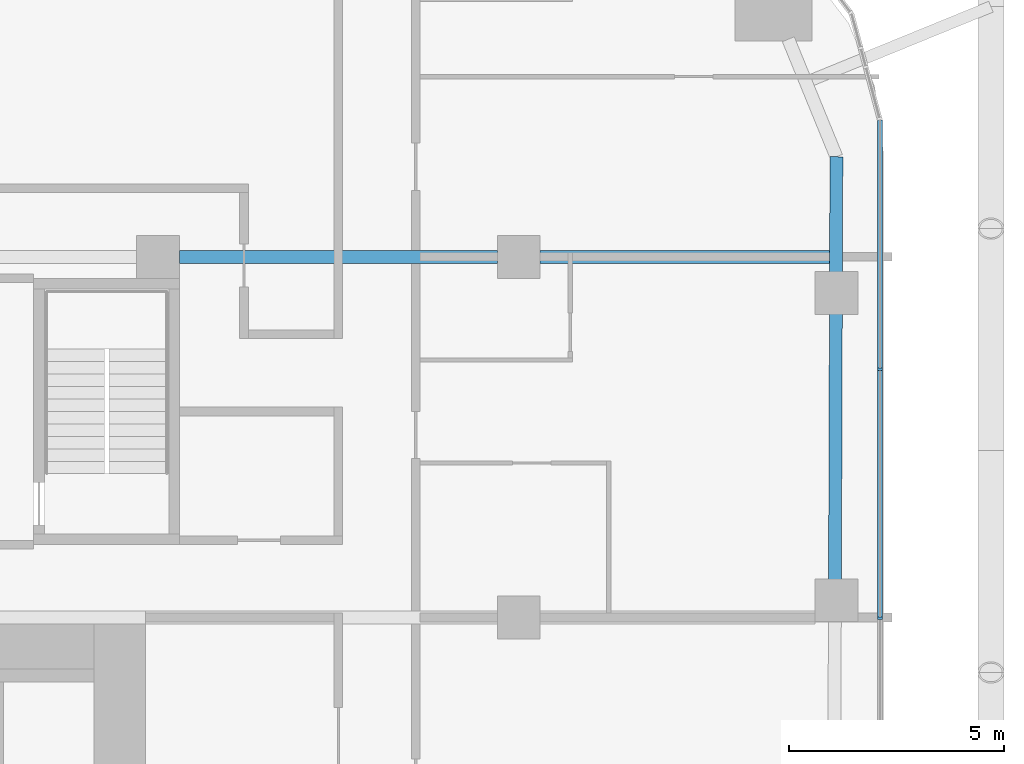
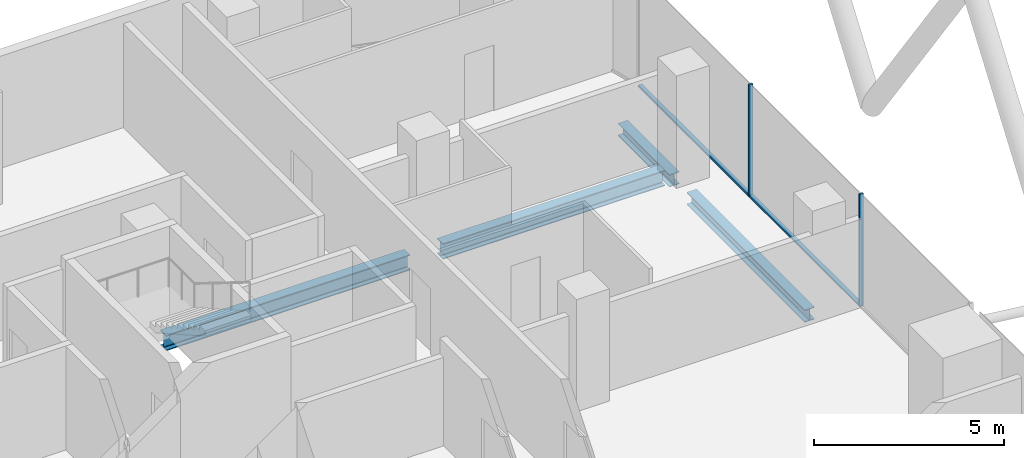
# One storey, part 12 of 38: 4 beams, 4 members, 1 element without a shape of its own.
"""IFC4 building model written with IfcOpenShell, lengths in metres."""

import ifcopenshell
import ifcopenshell.guid

model = None  # the IFC model being written
_history = None  # IfcOwnerHistory: only IFC2X3 demands one
_inside = {}  # id of a spatial element -> (the spatial element, [elements in it])
_under = {}  # id of a project, library or spatial element -> (it, [spatial elements below it])
_declared = {}  # id of a project -> (the project, [libraries it declares])
_typed = {}  # id of a type object -> (the type object, [elements of that type])
_made_of = {}  # id of a material, layer set ... -> (it, [elements and type objects made of it])


def new_model(schema):
    """Start an empty IFC model of exactly this schema.

    Asked for "IFC4X3", IfcOpenShell would pick the latest addendum, in which some entities
    have other attributes; the version numbers below select the first issue.
    IFC2X3 requires an IfcOwnerHistory on every rooted entity: one is made here for all.
    """
    global model, _history
    if schema == "IFC4X3":
        model = ifcopenshell.file(schema_version=(4, 3, 0, 0))
    else:
        model = ifcopenshell.file(schema=schema)
    _inside.clear()
    _under.clear()
    _declared.clear()
    _typed.clear()
    _made_of.clear()
    _history = None
    if model.schema == "IFC2X3":
        org = make("IfcOrganization", Name="unknown")
        user = make(
            "IfcPersonAndOrganization",
            ThePerson=make("IfcPerson", FamilyName="unknown"),
            TheOrganization=org,
        )
        app = make(
            "IfcApplication",
            ApplicationDeveloper=org,
            Version="unknown",
            ApplicationFullName="unknown",
            ApplicationIdentifier="unknown",
        )
        _history = make(
            "IfcOwnerHistory",
            OwningUser=user,
            OwningApplication=app,
            ChangeAction="ADDED",
            CreationDate=0,
        )
    return model


def make(cls, **values):
    """One entity of the class cls with the attributes given. An attribute that is None is left unset."""
    return model.create_entity(
        cls, **{name: value for name, value in values.items() if value is not None}
    )


def rooted(cls, **values):
    """An entity with a GlobalId (a new one), such as an element, a storey or a relation."""
    return make(cls, GlobalId=ifcopenshell.guid.new(), OwnerHistory=_history, **values)


def si_unit(unit_type, name, prefix=None):
    """IfcSIUnit, for example si_unit("LENGTHUNIT", "METRE", prefix="MILLI")."""
    return make("IfcSIUnit", UnitType=unit_type, Prefix=prefix, Name=name)


def assignment(units):
    """IfcUnitAssignment: the units of a project."""
    return None if units is None else make("IfcUnitAssignment", Units=units)


def point(xyz):
    """IfcCartesianPoint."""
    return None if xyz is None else make("IfcCartesianPoint", Coordinates=xyz)


def direction(xyz):
    """IfcDirection."""
    return None if xyz is None else make("IfcDirection", DirectionRatios=xyz)


def frame(location, z_axis=None, x_axis=None):
    """IfcAxis2Placement3D, a coordinate frame: its origin and axes. An axis left out is left unset."""
    return make(
        "IfcAxis2Placement3D",
        Location=point(location),
        Axis=direction(z_axis),
        RefDirection=direction(x_axis),
    )


def frame_2d(location, x_axis=None):
    """IfcAxis2Placement2D, a coordinate frame in the plane: its origin and x axis."""
    return make(
        "IfcAxis2Placement2D", Location=point(location), RefDirection=direction(x_axis)
    )


def origin():
    """The frame at (0, 0, 0) with its axes left unset."""
    return frame((0.0, 0.0, 0.0))


def origin_2d():
    """The frame at (0, 0) in the plane with its x axis left unset."""
    return frame_2d((0.0, 0.0))


def place(relative_to, where):
    """IfcLocalPlacement: puts the frame where relative to a parent placement (None: the world)."""
    return make(
        "IfcLocalPlacement", PlacementRelTo=relative_to, RelativePlacement=where
    )


def context(
    kind, dimensions, precision=None, world=None, true_north=None, identifier=None
):
    """IfcGeometricRepresentationContext, for example the 3D "Model" context."""
    return make(
        "IfcGeometricRepresentationContext",
        ContextIdentifier=identifier,
        ContextType=kind,
        CoordinateSpaceDimension=dimensions,
        Precision=precision,
        WorldCoordinateSystem=world,
        TrueNorth=true_north,
    )


def subcontext(parent, identifier, kind, view, scale=None):
    """IfcGeometricRepresentationSubContext, for example "Body" below "Model"."""
    return make(
        "IfcGeometricRepresentationSubContext",
        ContextIdentifier=identifier,
        ContextType=kind,
        ParentContext=parent,
        TargetScale=scale,
        TargetView=view,
    )


def project(units=None, contexts=None):
    """IfcProject with its units and contexts."""
    return rooted(
        "IfcProject",
        Name="project",
        RepresentationContexts=contexts,
        UnitsInContext=assignment(units),
    )


def spatial(cls, under=None, at=None, **own):
    """A site, building, storey or space (cls), placed at a placement, below another one or the project."""
    s = rooted(cls, ObjectPlacement=at, **own)
    if under is not None:
        _under.setdefault(under.id(), (under, []))[1].append(s)
    return s


def profile(cls, at=None, kind="AREA", **sizes):
    """A parametric profile (cls). Its sizes go by their IFC names, for example OverallWidth=200.0."""
    return make(cls, ProfileType=kind, Position=at, **sizes)


def rectangle(**sizes):
    """IfcRectangleProfileDef."""
    return profile("IfcRectangleProfileDef", **sizes)


def i_section(**sizes):
    """IfcIShapeProfileDef."""
    return profile("IfcIShapeProfileDef", **sizes)


def extrude(swept, where, along, depth):
    """IfcExtrudedAreaSolid: the profile swept, set in the frame where, extruded along a direction by depth."""
    return make(
        "IfcExtrudedAreaSolid",
        SweptArea=swept,
        Position=where,
        ExtrudedDirection=direction(along),
        Depth=depth,
    )


def shape(context_of_items, identifier, shape_type, items):
    """IfcShapeRepresentation: the items that make up one representation, for example the "Body"."""
    return make(
        "IfcShapeRepresentation",
        ContextOfItems=context_of_items,
        RepresentationIdentifier=identifier,
        RepresentationType=shape_type,
        Items=items,
    )


def material(Name=None, Category=None):
    """IfcMaterial."""
    return make("IfcMaterial", Name=Name, Category=Category)


def layer(
    of_material, thickness, ventilated=None, Name=None, Category=None, Priority=None
):
    """IfcMaterialLayer: one layer of a wall or slab, of a material (None: an air gap)."""
    return make(
        "IfcMaterialLayer",
        Material=of_material,
        LayerThickness=thickness,
        IsVentilated=ventilated,
        Name=Name,
        Category=Category,
        Priority=Priority,
    )


def layer_set(layers, Name=None):
    """IfcMaterialLayerSet."""
    return make("IfcMaterialLayerSet", MaterialLayers=layers, LayerSetName=Name)


def material_profile(
    of_material, cross_section, Name=None, Category=None, Priority=None
):
    """IfcMaterialProfile: a cross section and its material."""
    return make(
        "IfcMaterialProfile",
        Name=Name,
        Material=of_material,
        Profile=cross_section,
        Priority=Priority,
        Category=Category,
    )


def profile_set(profiles, Name=None, composite=None):
    """IfcMaterialProfileSet."""
    return make(
        "IfcMaterialProfileSet",
        Name=Name,
        MaterialProfiles=profiles,
        CompositeProfile=composite,
    )


def made_of(thing, what):
    """Note that an element or type object is made of a material, layer set ...; save() writes the relation."""
    if what is not None:
        _made_of.setdefault(what.id(), (what, []))[1].append(thing)
    return thing


def type_object(cls, material=None, **own):
    """A type object (cls), such as IfcWallType, which elements share."""
    return made_of(rooted(cls, **own), material)


def element(
    cls,
    number,
    at=None,
    inside=None,
    cuts=None,
    type_object=None,
    material=None,
    context=None,
    identifier="Body",
    shape_type=None,
    held_by="IfcProductDefinitionShape",
    body=None,
    shapes=None,
    **own,
):
    """One element of the class cls, such as IfcWall. Its Tag is "e" and its number.

    at: its placement. inside: the storey or other place that contains it. cuts: it is an
    opening in that element (IfcRelVoidsElement). A single representation is given by context,
    identifier, shape_type and body (its items); several are given by shapes. held_by: the class
    of the entity that holds the representations. save() writes the other relations.
    """
    e = rooted(cls, Tag="e%d" % number, ObjectPlacement=at, **own)
    if body is not None:
        shapes = [shape(context, identifier, shape_type, body)]
    if shapes is not None:
        e.Representation = make(held_by, Representations=shapes)
    if inside is not None:
        _inside.setdefault(inside.id(), (inside, []))[1].append(e)
    if cuts is not None:
        rooted(
            "IfcRelVoidsElement", RelatingBuildingElement=cuts, RelatedOpeningElement=e
        )
    if type_object is not None:
        _typed.setdefault(type_object.id(), (type_object, []))[1].append(e)
    return made_of(e, material)


def aggregate(whole, parts):
    """IfcRelAggregates: a whole, such as a stair, and the parts it consists of."""
    return rooted("IfcRelAggregates", RelatingObject=whole, RelatedObjects=parts)


def save(model, path):
    """Write the relations noted so far, then the file.

    IfcRelAggregates (storeys below a building ...), IfcRelContainedInSpatialStructure (elements
    in a storey), IfcRelDefinesByType, IfcRelAssociatesMaterial and IfcRelDeclares: one each for
    every whole, place, type object, material and project.
    """
    for whole, parts in _under.values():
        aggregate(whole, parts)
    for where, things in _inside.values():
        rooted(
            "IfcRelContainedInSpatialStructure",
            RelatedElements=things,
            RelatingStructure=where,
        )
    for kind, things in _typed.values():
        rooted("IfcRelDefinesByType", RelatedObjects=things, RelatingType=kind)
    for what, things in _made_of.values():
        rooted("IfcRelAssociatesMaterial", RelatedObjects=things, RelatingMaterial=what)
    for by, libraries in _declared.values():
        rooted("IfcRelDeclares", RelatingContext=by, RelatedDefinitions=libraries)
    model.write(path)


model = new_model("IFC4")

# Units and contexts
model_context = context("Model", 3, precision=1e-05, world=origin(), true_north=direction((0.0, 1.0)))
body_context = subcontext(model_context, "Body", "Model", "MODEL_VIEW")
ifc_project = project(units=[si_unit("LENGTHUNIT", "METRE"), si_unit("AREAUNIT", "SQUARE_METRE"), si_unit("VOLUMEUNIT", "CUBIC_METRE"), si_unit("PLANEANGLEUNIT", "RADIAN"), si_unit("MASSUNIT", "GRAM", prefix="KILO")], contexts=[model_context])

# Site, building, storey
site_placement = place(None, origin())
site = spatial("IfcSite", under=ifc_project, at=site_placement, CompositionType="ELEMENT")
building_placement = place(site_placement, origin())
building = spatial("IfcBuilding", under=site, at=building_placement, Name="Marenta Gate Hotel Tower", CompositionType="ELEMENT")
storey_placement = place(building_placement, frame((0.0, 0.0, 54.5)))
storey = spatial("IfcBuildingStorey", under=building, at=storey_placement, Name="L11", CompositionType="ELEMENT", Elevation=54.5)

# Beams
ifc_material_1 = material(Name="Steel S355", Category="steel")
ifc_material_profile_1 = material_profile(ifc_material_1, i_section(OverallWidth=0.300048828125, OverallDepth=0.39990234375, WebThickness=0.013427734375, FlangeThickness=0.02392578125, FilletRadius=0.027099609375, at=origin_2d()), Name="HEB 400")
ifc_profile_set_1 = profile_set([ifc_material_profile_1], Name="Steel S355")
beam_type_1 = type_object("IfcBeamType", Name="Edge beam HEB 400", PredefinedType="SPANDREL", material=ifc_profile_set_1)
beam_1_placement = place(storey_placement, frame((28.39990234375, 27.534423828125, -0.4599609375), z_axis=(-0.003323434444, -0.999994477376, 0.0), x_axis=(0.999994477376, -0.003323434444, 0.0)))
element("IfcBeam", 1, at=beam_1_placement, inside=storey, type_object=beam_type_1, Name="L11-EB-22", PredefinedType="SPANDREL", context=body_context, shape_type="SweptSolid", body=[
    extrude(i_section(OverallWidth=0.300048828125, OverallDepth=0.39990234375, WebThickness=0.013427734375, FlangeThickness=0.02392578125, FilletRadius=0.027099609375, at=origin_2d()), origin(), (0.0, 0.0, 1.0), 2.718017578125),
])
beam_2_placement = place(storey_placement, frame((28.387939453125, 23.896484375, -0.4599609375), z_axis=(-0.003329137121, -0.999994458408, 0.0), x_axis=(0.999994458408, -0.003329137121, 0.0)))
element("IfcBeam", 2, at=beam_2_placement, inside=storey, type_object=beam_type_1, Name="L11-EB-23", PredefinedType="SPANDREL", context=body_context, shape_type="SweptSolid", body=[
    extrude(i_section(OverallWidth=0.300048828125, OverallDepth=0.39990234375, WebThickness=0.013427734375, FlangeThickness=0.02392578125, FilletRadius=0.027099609375, at=origin_2d()), origin(), (0.0, 0.0, 1.0), 6.2333984375),
])
ifc_material_2 = material(Name="Steel S355", Category="steel")
ifc_material_profile_2 = material_profile(ifc_material_2, i_section(OverallWidth=0.300048828125, OverallDepth=0.5, WebThickness=0.014404296875, FlangeThickness=0.028076171875, FilletRadius=0.027099609375, at=origin_2d()), Name="HEB 500")
ifc_profile_set_2 = profile_set([ifc_material_profile_2], Name="Steel S355")
beam_type_2 = type_object("IfcBeamType", Name="Girder HEB 500", PredefinedType="BEAM", material=ifc_profile_set_2)
beam_3_placement = place(storey_placement, frame((13.10009765625, 25.199951171875, -0.510009765625), z_axis=(1.0, 0.0, 0.0), x_axis=(0.0, 1.0, 0.0)))
element("IfcBeam", 3, at=beam_3_placement, inside=storey, type_object=beam_type_2, Name="L11-GD-27", PredefinedType="BEAM", context=body_context, shape_type="SweptSolid", body=[
    extrude(i_section(OverallWidth=0.300048828125, OverallDepth=0.5, WebThickness=0.014404296875, FlangeThickness=0.028076171875, FilletRadius=0.027099609375, at=origin_2d()), origin(), (0.0, 0.0, 1.0), 7.39990234375),
])
beam_4_placement = place(storey_placement, frame((21.5, 25.199951171875, -0.510009765625), z_axis=(1.0, 0.0, 0.0), x_axis=(0.0, 1.0, 0.0)))
element("IfcBeam", 4, at=beam_4_placement, inside=storey, type_object=beam_type_2, Name="L11-GD-28", PredefinedType="BEAM", context=body_context, shape_type="SweptSolid", body=[
    extrude(i_section(OverallWidth=0.300048828125, OverallDepth=0.5, WebThickness=0.014404296875, FlangeThickness=0.028076171875, FilletRadius=0.027099609375, at=origin_2d()), origin(), (0.0, 0.0, 1.0), 6.7421875),
])

# Curtain wall, members
ifc_material_3 = material(Name="Tinted insulated glass in bronze anodised frame", Category="glass")
ifc_layer = layer(ifc_material_3, 0.1201171875)
ifc_layer_set = layer_set([ifc_layer], Name="Tinted insulated glass in bronze anodised frame")
curtain_wall_type = type_object("IfcCurtainWallType", Name="Tower unitised curtain wall CW1", PredefinedType="NOTDEFINED", material=ifc_layer_set)
curtain_wall_placement = place(storey_placement, origin())
curtain_wall = element("IfcCurtainWall", 5, at=curtain_wall_placement, inside=storey, type_object=curtain_wall_type, Name="CW1 run G34", PredefinedType="NOTDEFINED")
ifc_material_4 = material(Name="Bronze anodised aluminium", Category="aluminium")
ifc_material_profile_3 = material_profile(ifc_material_4, rectangle(XDim=0.1201171875, YDim=0.06005859375, at=origin_2d()), Name="Mullion CW1 60x120 bronze anodised aluminium")
ifc_profile_set_3 = profile_set([ifc_material_profile_3], Name="Bronze anodised aluminium")
member_type_1 = type_object("IfcMemberType", Name="Mullion CW1 60x120 bronze anodised aluminium", PredefinedType="MULLION", material=ifc_profile_set_3)
member_1_placement = place(storey_placement, frame((29.4140625, 16.78076171875, 0.0), z_axis=(0.0, 0.0, 1.0), x_axis=(-1.0, 0.0, 0.0)))
member_1 = element("IfcMember", 6, at=member_1_placement, type_object=member_type_1, Name="CW1 mullion 2", PredefinedType="MULLION", context=body_context, shape_type="SweptSolid", body=[
    extrude(rectangle(XDim=0.1201171875, YDim=0.06005859375, at=origin_2d()), origin(), (0.0, 0.0, 1.0), 3.60009765625),
])
member_2_placement = place(storey_placement, frame((29.4140625, 22.58642578125, 0.0), z_axis=(0.0, 0.0, 1.0), x_axis=(-1.0, 0.0, 0.0)))
member_2 = element("IfcMember", 7, at=member_2_placement, type_object=member_type_1, Name="CW1 mullion 3", PredefinedType="MULLION", context=body_context, shape_type="SweptSolid", body=[
    extrude(rectangle(XDim=0.1201171875, YDim=0.06005859375, at=origin_2d()), origin(), (0.0, 0.0, 1.0), 3.60009765625),
])
ifc_material_5 = material(Name="Bronze anodised aluminium", Category="aluminium")
ifc_material_profile_4 = material_profile(ifc_material_5, rectangle(XDim=0.1201171875, YDim=0.06005859375, at=origin_2d()), Name="Transom CW1 60x120 bronze anodised aluminium")
ifc_profile_set_4 = profile_set([ifc_material_profile_4], Name="Bronze anodised aluminium")
member_type_2 = type_object("IfcMemberType", Name="Transom CW1 60x120 bronze anodised aluminium", PredefinedType="USERDEFINED", material=ifc_profile_set_4)
member_3_placement = place(storey_placement, frame((29.4140625, 16.810791015625, 0.030029296875), z_axis=(0.0, 1.0, 0.0), x_axis=(-1.0, 0.0, 0.0)))
member_3 = element("IfcMember", 8, at=member_3_placement, type_object=member_type_2, Name="CW1 transom 2.1", ObjectType="TRANSOM", PredefinedType="USERDEFINED", context=body_context, shape_type="SweptSolid", body=[
    extrude(rectangle(XDim=0.1201171875, YDim=0.06005859375, at=origin_2d()), origin(), (0.0, 0.0, 1.0), 5.74560546875),
])
member_4_placement = place(storey_placement, frame((29.4140625, 22.616455078125, 0.030029296875), z_axis=(0.0, 1.0, 0.0), x_axis=(-1.0, 0.0, 0.0)))
member_4 = element("IfcMember", 9, at=member_4_placement, type_object=member_type_2, Name="CW1 transom 3.1", ObjectType="TRANSOM", PredefinedType="USERDEFINED", context=body_context, shape_type="SweptSolid", body=[
    extrude(rectangle(XDim=0.1201171875, YDim=0.06005859375, at=origin_2d()), origin(), (0.0, 0.0, 1.0), 5.775390625),
])
aggregate(curtain_wall, [member_1, member_2, member_3, member_4])

save(model, "model.ifc")
